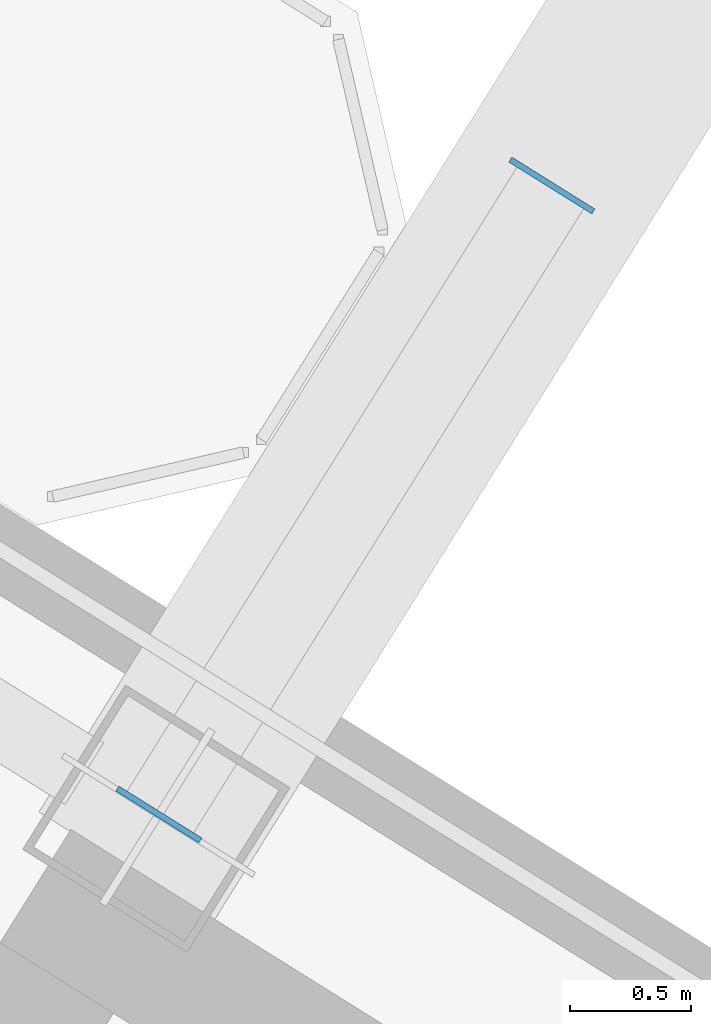
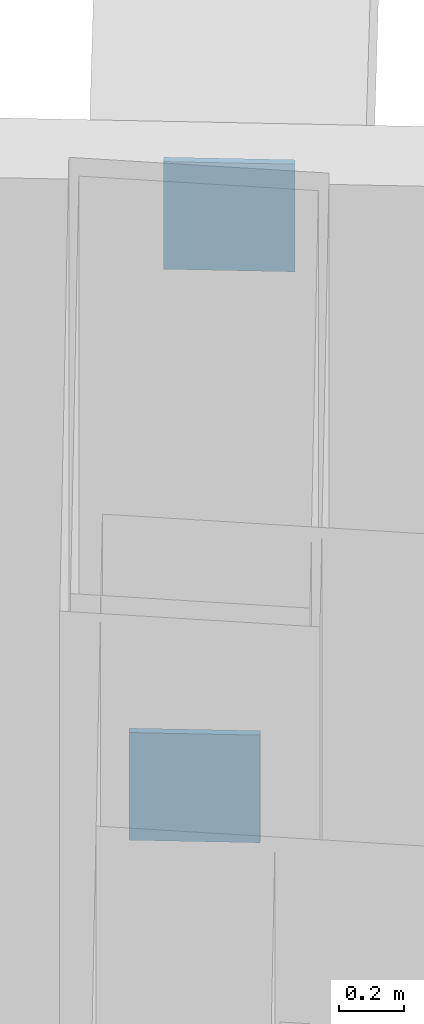
# One storey, part 18 of 34: 2 plates.
"""IFC4 building model written with IfcOpenShell, lengths in metres."""

from ifc_helpers import new_model, si_unit, direction, frame, origin, origin_2d, place, context, subcontext, project, spatial, rectangle, extrude, source, transform, mapped, material, layer, layer_set, type_object, element, save


model = new_model("IFC4")

# Units and contexts
model_context = context("Model", 3, precision=1e-05, world=origin(), true_north=direction((0.0, 1.0)))
body_context = subcontext(model_context, "Body", "Model", "MODEL_VIEW")
ifc_project = project(units=[si_unit("LENGTHUNIT", "METRE"), si_unit("AREAUNIT", "SQUARE_METRE"), si_unit("VOLUMEUNIT", "CUBIC_METRE"), si_unit("PLANEANGLEUNIT", "RADIAN"), si_unit("MASSUNIT", "GRAM", prefix="KILO")], contexts=[model_context])

# Site, building, storey
site_placement = place(None, origin())
site = spatial("IfcSite", under=ifc_project, at=site_placement, CompositionType="ELEMENT")
building_placement = place(site_placement, origin())
building = spatial("IfcBuilding", under=site, at=building_placement, Name="Tlacorven Tower", CompositionType="ELEMENT")
storey_placement = place(building_placement, frame((0.0, 0.0, 174.89990234375)))
storey = spatial("IfcBuildingStorey", under=building, at=storey_placement, Name="L44", CompositionType="ELEMENT", Elevation=174.89990234375)

# Plates
ifc_material = material(Name="Steel S460M", Category="steel")
ifc_layer = layer(ifc_material, 0.02392578125)
ifc_layer_set = layer_set([ifc_layer], Name="Steel S460M")
plate_type = type_object("IfcPlateType", Name="PL-CAP-END1", PredefinedType="USERDEFINED", material=ifc_layer_set)
shared_shape = source(origin(), body_context, "Body", "SweptSolid", [
    extrude(rectangle(XDim=0.02392578125, YDim=0.40380859375, at=origin_2d()), origin(), (0.0, 0.0, 1.0), 0.40380859375),
])
for number, where, z_axis, x_axis, name in (
    (1, (29.9384765625, 31.268310546875, 2.048095703125), (0.0, 0.0, 1.0), (0.529918714471, 0.848048439686, 0.0), "L44 hollow end cap plate SBR-L44-W3 1"),
    (2, (31.56005859375, 33.86328125, 2.048095703125), (0.0, 0.0, 1.0), (0.529918714471, 0.848048439686, 0.0), "L44 hollow end cap plate SBR-L44-W3 2"),
):
    element("IfcPlate", number, at=place(storey_placement, frame(where, z_axis=z_axis, x_axis=x_axis)), inside=storey, type_object=plate_type, Name=name, ObjectType="END PLATE", PredefinedType="USERDEFINED", context=body_context, shape_type="MappedRepresentation", body=[
        mapped(shared_shape, transform((0.0, 0.0, 0.0), scale=1.0)),
    ])

save(model, "model.ifc")
